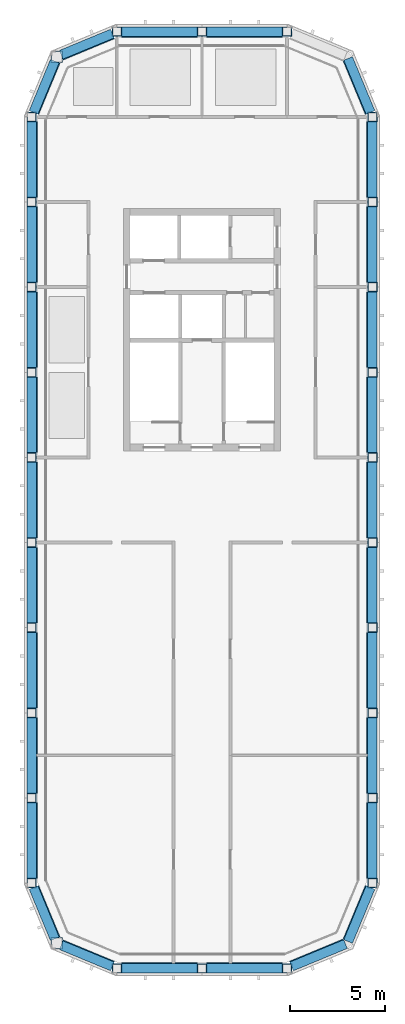
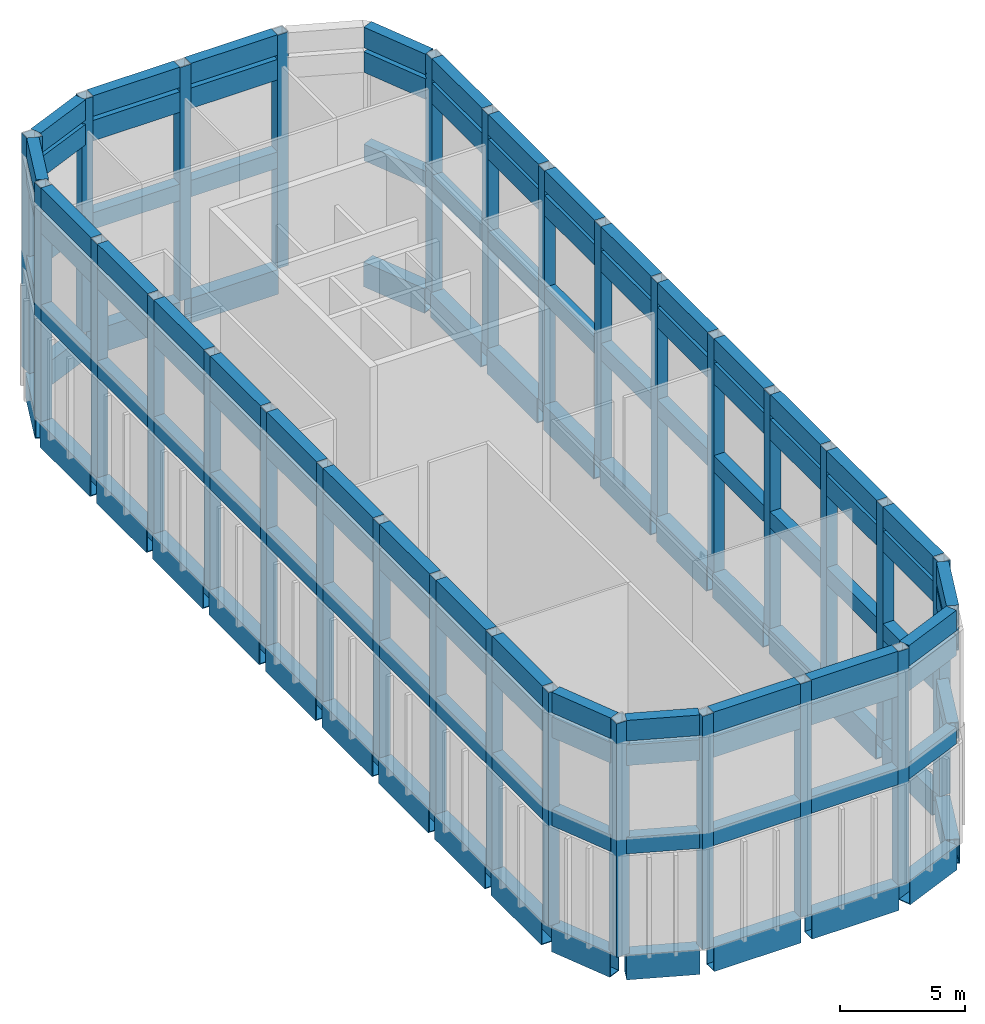
# One storey, part 1 of 7: 116 beams, 28 columns.
"""IFC4 building model written with IfcOpenShell, lengths in metres."""

from ifc_helpers import new_model, si_unit, direction, frame, origin, origin_2d, place, context, subcontext, project, spatial, hollow_rectangle, extrude, material, material_profile, profile_set, type_object, element, save


model = new_model("IFC4")

# Units and contexts
model_context = context("Model", 3, precision=1e-05, world=origin(), true_north=direction((0.0, 1.0)))
body_context = subcontext(model_context, "Body", "Model", "MODEL_VIEW")
ifc_project = project(units=[si_unit("LENGTHUNIT", "METRE"), si_unit("AREAUNIT", "SQUARE_METRE"), si_unit("VOLUMEUNIT", "CUBIC_METRE"), si_unit("PLANEANGLEUNIT", "RADIAN"), si_unit("MASSUNIT", "GRAM", prefix="KILO")], contexts=[model_context])

# Site, building, storey
site_placement = place(None, origin())
site = spatial("IfcSite", under=ifc_project, at=site_placement, CompositionType="ELEMENT")
building_placement = place(site_placement, origin())
building = spatial("IfcBuilding", under=site, at=building_placement, Name="Girih Gate Residences", CompositionType="ELEMENT")
storey_placement = place(building_placement, frame((0.0, 0.0, 247.094970703125)))
storey = spatial("IfcBuildingStorey", under=building, at=storey_placement, Name="L67", CompositionType="ELEMENT", Elevation=247.094970703125)

# Columns
ifc_material = material(Name="Steel S460", Category="steel")
ifc_material_profile_1 = material_profile(ifc_material, hollow_rectangle(XDim=0.60009765625, YDim=0.60009765625, WallThickness=0.030029296875, at=origin_2d()))
ifc_profile_set_1 = profile_set([ifc_material_profile_1], Name="Steel S460")
column_type_1 = type_object("IfcColumnType", Name="CROWN FRAME corner post BOX 600x600x30 Steel S460", PredefinedType="COLUMN", material=ifc_profile_set_1)
for number, where, z_axis, x_axis, name in (
    (1, (1.318115234375, 1.318115234375, 0.0), (0.0, 0.0, 1.0), (1.0, 0.0, 0.0), "CROWN FRAME post 4 L67"),
    (2, (1.318115234375, 48.181884765625, 0.0), (0.0, 0.0, 1.0), (1.0, 0.0, 0.0), "CROWN FRAME post 25 L67"),
):
    element("IfcColumn", number, at=place(storey_placement, frame(where, z_axis=z_axis, x_axis=x_axis)), inside=storey, type_object=column_type_1, Name=name, PredefinedType="COLUMN", context=body_context, shape_type="SweptSolid", body=[
        extrude(hollow_rectangle(XDim=0.60009765625, YDim=0.60009765625, WallThickness=0.030029296875, at=origin_2d()), origin(), (0.0, 0.0, 1.0), 11.3701171875),
    ])
ifc_material_profile_2 = material_profile(ifc_material, hollow_rectangle(XDim=0.5, YDim=0.5, WallThickness=0.02490234375, at=origin_2d()))
ifc_profile_set_2 = profile_set([ifc_material_profile_2], Name="Steel S460")
column_type_2 = type_object("IfcColumnType", Name="CROWN FRAME post BOX 500x500x25 Steel S460", PredefinedType="COLUMN", material=ifc_profile_set_2)
for number, where, z_axis, x_axis, name in (
    (3, (4.5, 0.0, 0.0), (0.0, 0.0, 1.0), (1.0, 0.0, 0.0), "CROWN FRAME post 1 L67"),
    (4, (9.0, 0.0, 0.0), (0.0, 0.0, 1.0), (1.0, 0.0, 0.0), "CROWN FRAME post 2 L67"),
    (5, (13.5, 0.0, 0.0), (0.0, 0.0, 1.0), (1.0, 0.0, 0.0), "CROWN FRAME post 3 L67"),
    (6, (0.0, 4.5, 0.0), (0.0, 0.0, 1.0), (1.0, 0.0, 0.0), "CROWN FRAME post 5 L67"),
    (7, (18.0, 4.5, 0.0), (0.0, 0.0, 1.0), (1.0, 0.0, 0.0), "CROWN FRAME post 6 L67"),
    (8, (0.0, 9.0, 0.0), (0.0, 0.0, 1.0), (1.0, 0.0, 0.0), "CROWN FRAME post 7 L67"),
    (9, (18.0, 9.0, 0.0), (0.0, 0.0, 1.0), (1.0, 0.0, 0.0), "CROWN FRAME post 8 L67"),
    (10, (0.0, 13.5, 0.0), (0.0, 0.0, 1.0), (1.0, 0.0, 0.0), "CROWN FRAME post 9 L67"),
    (11, (18.0, 13.5, 0.0), (0.0, 0.0, 1.0), (1.0, 0.0, 0.0), "CROWN FRAME post 10 L67"),
    (12, (0.0, 18.0, 0.0), (0.0, 0.0, 1.0), (1.0, 0.0, 0.0), "CROWN FRAME post 11 L67"),
    (13, (18.0, 18.0, 0.0), (0.0, 0.0, 1.0), (1.0, 0.0, 0.0), "CROWN FRAME post 12 L67"),
    (14, (0.0, 22.5, 0.0), (0.0, 0.0, 1.0), (1.0, 0.0, 0.0), "CROWN FRAME post 13 L67"),
    (15, (18.0, 22.5, 0.0), (0.0, 0.0, 1.0), (1.0, 0.0, 0.0), "CROWN FRAME post 14 L67"),
    (16, (0.0, 27.0, 0.0), (0.0, 0.0, 1.0), (1.0, 0.0, 0.0), "CROWN FRAME post 15 L67"),
    (17, (18.0, 27.0, 0.0), (0.0, 0.0, 1.0), (1.0, 0.0, 0.0), "CROWN FRAME post 16 L67"),
    (18, (0.0, 31.5, 0.0), (0.0, 0.0, 1.0), (1.0, 0.0, 0.0), "CROWN FRAME post 17 L67"),
    (19, (18.0, 31.5, 0.0), (0.0, 0.0, 1.0), (1.0, 0.0, 0.0), "CROWN FRAME post 18 L67"),
    (20, (0.0, 36.0, 0.0), (0.0, 0.0, 1.0), (1.0, 0.0, 0.0), "CROWN FRAME post 19 L67"),
    (21, (18.0, 36.0, 0.0), (0.0, 0.0, 1.0), (1.0, 0.0, 0.0), "CROWN FRAME post 20 L67"),
    (22, (0.0, 40.5, 0.0), (0.0, 0.0, 1.0), (1.0, 0.0, 0.0), "CROWN FRAME post 21 L67"),
    (23, (18.0, 40.5, 0.0), (0.0, 0.0, 1.0), (1.0, 0.0, 0.0), "CROWN FRAME post 22 L67"),
    (24, (0.0, 45.0, 0.0), (0.0, 0.0, 1.0), (1.0, 0.0, 0.0), "CROWN FRAME post 23 L67"),
    (25, (18.0, 45.0, 0.0), (0.0, 0.0, 1.0), (1.0, 0.0, 0.0), "CROWN FRAME post 24 L67"),
    (26, (4.5, 49.5, 0.0), (0.0, 0.0, 1.0), (1.0, 0.0, 0.0), "CROWN FRAME post 26 L67"),
    (27, (9.0, 49.5, 0.0), (0.0, 0.0, 1.0), (1.0, 0.0, 0.0), "CROWN FRAME post 27 L67"),
    (28, (13.5, 49.5, 0.0), (0.0, 0.0, 1.0), (1.0, 0.0, 0.0), "CROWN FRAME post 28 L67"),
):
    element("IfcColumn", number, at=place(storey_placement, frame(where, z_axis=z_axis, x_axis=x_axis)), inside=storey, type_object=column_type_2, Name=name, PredefinedType="COLUMN", context=body_context, shape_type="SweptSolid", body=[
        extrude(hollow_rectangle(XDim=0.5, YDim=0.5, WallThickness=0.02490234375, at=origin_2d()), origin(), (0.0, 0.0, 1.0), 11.3701171875),
    ])

# Beams
ifc_material_profile_3 = material_profile(ifc_material, hollow_rectangle(XDim=0.60009765625, YDim=1.199951171875, WallThickness=0.0400390625, at=origin_2d()))
ifc_profile_set_3 = profile_set([ifc_material_profile_3], Name="Steel S460")
beam_type_1 = type_object("IfcBeamType", Name="CROWN FRAME ring beam BOX 1200x600x40 Steel S460", PredefinedType="BEAM", material=ifc_profile_set_3)
beam_1_placement = place(storey_placement, frame((17.904296875, 45.23095703125, -0.599853515625), z_axis=(-0.382688933871, 0.923877253694, 0.0), x_axis=(-0.923877253694, -0.382688933871, 0.0)))
element("IfcBeam", 29, at=beam_1_placement, inside=storey, type_object=beam_type_1, Name="CROWN FRAME ring beam 247.1 1", PredefinedType="BEAM", context=body_context, shape_type="SweptSolid", body=[
    extrude(hollow_rectangle(XDim=0.60009765625, YDim=1.199951171875, WallThickness=0.0400390625, at=origin_2d()), origin(), (0.0, 0.0, 1.0), 3.06982421875),
])
for number, where, z_axis, x_axis, name in (
    (30, (13.25, 49.5, -0.599853515625), (-1.0, 0.0, 0.0), (0.0, -1.0, 0.0), "CROWN FRAME ring beam 247.1 3"),
    (31, (8.75, 49.5, -0.599853515625), (-1.0, 0.0, 0.0), (0.0, -1.0, 0.0), "CROWN FRAME ring beam 247.1 4"),
):
    element("IfcBeam", number, at=place(storey_placement, frame(where, z_axis=z_axis, x_axis=x_axis)), inside=storey, type_object=beam_type_1, Name=name, PredefinedType="BEAM", context=body_context, shape_type="SweptSolid", body=[
        extrude(hollow_rectangle(XDim=0.60009765625, YDim=1.199951171875, WallThickness=0.0400390625, at=origin_2d()), origin(), (0.0, 0.0, 1.0), 4.0),
    ])
for number, where, z_axis, x_axis, name in (
    (32, (4.26904296875, 49.404296875, -0.599853515625), (-0.923872299408, -0.382700894154, 0.0), (0.382700894154, -0.923872299408, 0.0), "CROWN FRAME ring beam 247.1 5"),
    (33, (1.222412109375, 47.950927734375, -0.599853515625), (-0.382700894154, -0.923872299408, 0.0), (0.923872299408, -0.382700894154, 0.0), "CROWN FRAME ring beam 247.1 6"),
):
    element("IfcBeam", number, at=place(storey_placement, frame(where, z_axis=z_axis, x_axis=x_axis)), inside=storey, type_object=beam_type_1, Name=name, PredefinedType="BEAM", context=body_context, shape_type="SweptSolid", body=[
        extrude(hollow_rectangle(XDim=0.60009765625, YDim=1.199951171875, WallThickness=0.0400390625, at=origin_2d()), origin(), (0.0, 0.0, 1.0), 2.944091796875),
    ])
for number, where, z_axis, x_axis, name in (
    (34, (0.0, 44.75, -0.599853515625), (0.0, -1.0, 0.0), (1.0, 0.0, 0.0), "CROWN FRAME ring beam 247.1 7"),
    (35, (0.0, 40.25, -0.599853515625), (0.0, -1.0, 0.0), (1.0, 0.0, 0.0), "CROWN FRAME ring beam 247.1 8"),
    (36, (0.0, 35.75, -0.599853515625), (0.0, -1.0, 0.0), (1.0, 0.0, 0.0), "CROWN FRAME ring beam 247.1 9"),
    (37, (0.0, 31.25, -0.599853515625), (0.0, -1.0, 0.0), (1.0, 0.0, 0.0), "CROWN FRAME ring beam 247.1 10"),
    (38, (0.0, 26.75, -0.599853515625), (0.0, -1.0, 0.0), (1.0, 0.0, 0.0), "CROWN FRAME ring beam 247.1 11"),
    (39, (0.0, 22.25, -0.599853515625), (0.0, -1.0, 0.0), (1.0, 0.0, 0.0), "CROWN FRAME ring beam 247.1 12"),
    (40, (0.0, 17.75, -0.599853515625), (0.0, -1.0, 0.0), (1.0, 0.0, 0.0), "CROWN FRAME ring beam 247.1 13"),
    (41, (0.0, 13.25, -0.599853515625), (0.0, -1.0, 0.0), (1.0, 0.0, 0.0), "CROWN FRAME ring beam 247.1 14"),
    (42, (0.0, 8.75, -0.599853515625), (0.0, -1.0, 0.0), (1.0, 0.0, 0.0), "CROWN FRAME ring beam 247.1 15"),
):
    element("IfcBeam", number, at=place(storey_placement, frame(where, z_axis=z_axis, x_axis=x_axis)), inside=storey, type_object=beam_type_1, Name=name, PredefinedType="BEAM", context=body_context, shape_type="SweptSolid", body=[
        extrude(hollow_rectangle(XDim=0.60009765625, YDim=1.199951171875, WallThickness=0.0400390625, at=origin_2d()), origin(), (0.0, 0.0, 1.0), 4.0),
    ])
for number, where, z_axis, x_axis, name in (
    (43, (0.095703125, 4.26904296875, -0.599853515625), (0.382700894154, -0.923872299408, 0.0), (0.923872299408, 0.382700894154, 0.0), "CROWN FRAME ring beam 247.1 16"),
    (44, (1.549072265625, 1.222412109375, -0.599853515625), (0.923872299408, -0.382700894154, 0.0), (0.382700894154, 0.923872299408, 0.0), "CROWN FRAME ring beam 247.1 17"),
):
    element("IfcBeam", number, at=place(storey_placement, frame(where, z_axis=z_axis, x_axis=x_axis)), inside=storey, type_object=beam_type_1, Name=name, PredefinedType="BEAM", context=body_context, shape_type="SweptSolid", body=[
        extrude(hollow_rectangle(XDim=0.60009765625, YDim=1.199951171875, WallThickness=0.0400390625, at=origin_2d()), origin(), (0.0, 0.0, 1.0), 2.944091796875),
    ])
for number, where, z_axis, x_axis, name in (
    (45, (4.75, 0.0, -0.599853515625), (1.0, 0.0, 0.0), (0.0, 1.0, 0.0), "CROWN FRAME ring beam 247.1 18"),
    (46, (9.25, 0.0, -0.599853515625), (1.0, 0.0, 0.0), (0.0, 1.0, 0.0), "CROWN FRAME ring beam 247.1 19"),
):
    element("IfcBeam", number, at=place(storey_placement, frame(where, z_axis=z_axis, x_axis=x_axis)), inside=storey, type_object=beam_type_1, Name=name, PredefinedType="BEAM", context=body_context, shape_type="SweptSolid", body=[
        extrude(hollow_rectangle(XDim=0.60009765625, YDim=1.199951171875, WallThickness=0.0400390625, at=origin_2d()), origin(), (0.0, 0.0, 1.0), 4.0),
    ])
for number, where, z_axis, x_axis, name in (
    (47, (13.73095703125, 0.095703125, -0.599853515625), (0.923877253694, 0.382688933871, 0.0), (-0.382688933871, 0.923877253694, 0.0), "CROWN FRAME ring beam 247.1 20"),
    (48, (16.7294921875, 1.432861328125, -0.599853515625), (0.382688933871, 0.923877253694, 0.0), (-0.923877253694, 0.382688933871, 0.0), "CROWN FRAME ring beam 247.1 21"),
):
    element("IfcBeam", number, at=place(storey_placement, frame(where, z_axis=z_axis, x_axis=x_axis)), inside=storey, type_object=beam_type_1, Name=name, PredefinedType="BEAM", context=body_context, shape_type="SweptSolid", body=[
        extrude(hollow_rectangle(XDim=0.60009765625, YDim=1.199951171875, WallThickness=0.0400390625, at=origin_2d()), origin(), (0.0, 0.0, 1.0), 3.06982421875),
    ])
for number, where, z_axis, x_axis, name in (
    (49, (18.0, 4.75, -0.599853515625), (0.0, 1.0, 0.0), (-1.0, 0.0, 0.0), "CROWN FRAME ring beam 247.1 22"),
    (50, (18.0, 9.25, -0.599853515625), (0.0, 1.0, 0.0), (-1.0, 0.0, 0.0), "CROWN FRAME ring beam 247.1 23"),
    (51, (18.0, 13.75, -0.599853515625), (0.0, 1.0, 0.0), (-1.0, 0.0, 0.0), "CROWN FRAME ring beam 247.1 24"),
    (52, (18.0, 18.25, -0.599853515625), (0.0, 1.0, 0.0), (-1.0, 0.0, 0.0), "CROWN FRAME ring beam 247.1 25"),
    (53, (18.0, 22.75, -0.599853515625), (0.0, 1.0, 0.0), (-1.0, 0.0, 0.0), "CROWN FRAME ring beam 247.1 26"),
    (54, (18.0, 27.25, -0.599853515625), (0.0, 1.0, 0.0), (-1.0, 0.0, 0.0), "CROWN FRAME ring beam 247.1 27"),
    (55, (18.0, 31.75, -0.599853515625), (0.0, 1.0, 0.0), (-1.0, 0.0, 0.0), "CROWN FRAME ring beam 247.1 28"),
    (56, (18.0, 36.25, -0.599853515625), (0.0, 1.0, 0.0), (-1.0, 0.0, 0.0), "CROWN FRAME ring beam 247.1 29"),
    (57, (18.0, 40.75, -0.599853515625), (0.0, 1.0, 0.0), (-1.0, 0.0, 0.0), "CROWN FRAME ring beam 247.1 30"),
):
    element("IfcBeam", number, at=place(storey_placement, frame(where, z_axis=z_axis, x_axis=x_axis)), inside=storey, type_object=beam_type_1, Name=name, PredefinedType="BEAM", context=body_context, shape_type="SweptSolid", body=[
        extrude(hollow_rectangle(XDim=0.60009765625, YDim=1.199951171875, WallThickness=0.0400390625, at=origin_2d()), origin(), (0.0, 0.0, 1.0), 4.0),
    ])
ifc_material_profile_4 = material_profile(ifc_material, hollow_rectangle(XDim=0.5, YDim=1.0, WallThickness=0.030029296875, at=origin_2d()))
ifc_profile_set_4 = profile_set([ifc_material_profile_4], Name="Steel S460")
beam_type_2 = type_object("IfcBeamType", Name="CROWN FRAME roof ring beam BOX 1000x500x30 Steel S460", PredefinedType="BEAM", material=ifc_profile_set_4)
beam_2_placement = place(storey_placement, frame((17.904296875, 45.23095703125, 9.699951171875), z_axis=(-0.382640157244, 0.923897456466, 0.0), x_axis=(-0.923897456466, -0.382640157244, 0.0)))
element("IfcBeam", 58, at=beam_2_placement, inside=storey, type_object=beam_type_2, Name="CROWN FRAME ring beam 257.3 1", PredefinedType="BEAM", context=body_context, shape_type="SweptSolid", body=[
    extrude(hollow_rectangle(XDim=0.5, YDim=1.0, WallThickness=0.030029296875, at=origin_2d()), origin(), (0.0, 0.0, 1.0), 3.090576171875),
])
for number, where, z_axis, x_axis, name in (
    (59, (13.25, 49.5, 9.699951171875), (-1.0, 0.0, 0.0), (0.0, -1.0, 0.0), "CROWN FRAME ring beam 257.3 3"),
    (60, (8.75, 49.5, 9.699951171875), (-1.0, 0.0, 0.0), (0.0, -1.0, 0.0), "CROWN FRAME ring beam 257.3 4"),
):
    element("IfcBeam", number, at=place(storey_placement, frame(where, z_axis=z_axis, x_axis=x_axis)), inside=storey, type_object=beam_type_2, Name=name, PredefinedType="BEAM", context=body_context, shape_type="SweptSolid", body=[
        extrude(hollow_rectangle(XDim=0.5, YDim=1.0, WallThickness=0.030029296875, at=origin_2d()), origin(), (0.0, 0.0, 1.0), 4.0),
    ])
for number, where, z_axis, x_axis, name in (
    (61, (4.26904296875, 49.404296875, 9.699951171875), (-0.923872299408, -0.382700894154, 0.0), (0.382700894154, -0.923872299408, 0.0), "CROWN FRAME ring beam 257.3 5"),
    (62, (1.222412109375, 47.950927734375, 9.699951171875), (-0.382700894154, -0.923872299408, 0.0), (0.923872299408, -0.382700894154, 0.0), "CROWN FRAME ring beam 257.3 6"),
):
    element("IfcBeam", number, at=place(storey_placement, frame(where, z_axis=z_axis, x_axis=x_axis)), inside=storey, type_object=beam_type_2, Name=name, PredefinedType="BEAM", context=body_context, shape_type="SweptSolid", body=[
        extrude(hollow_rectangle(XDim=0.5, YDim=1.0, WallThickness=0.030029296875, at=origin_2d()), origin(), (0.0, 0.0, 1.0), 2.944091796875),
    ])
for number, where, z_axis, x_axis, name in (
    (63, (0.0, 44.75, 9.699951171875), (0.0, -1.0, 0.0), (1.0, 0.0, 0.0), "CROWN FRAME ring beam 257.3 7"),
    (64, (0.0, 40.25, 9.699951171875), (0.0, -1.0, 0.0), (1.0, 0.0, 0.0), "CROWN FRAME ring beam 257.3 8"),
    (65, (0.0, 35.75, 9.699951171875), (0.0, -1.0, 0.0), (1.0, 0.0, 0.0), "CROWN FRAME ring beam 257.3 9"),
    (66, (0.0, 31.25, 9.699951171875), (0.0, -1.0, 0.0), (1.0, 0.0, 0.0), "CROWN FRAME ring beam 257.3 10"),
    (67, (0.0, 26.75, 9.699951171875), (0.0, -1.0, 0.0), (1.0, 0.0, 0.0), "CROWN FRAME ring beam 257.3 11"),
    (68, (0.0, 22.25, 9.699951171875), (0.0, -1.0, 0.0), (1.0, 0.0, 0.0), "CROWN FRAME ring beam 257.3 12"),
    (69, (0.0, 17.75, 9.699951171875), (0.0, -1.0, 0.0), (1.0, 0.0, 0.0), "CROWN FRAME ring beam 257.3 13"),
    (70, (0.0, 13.25, 9.699951171875), (0.0, -1.0, 0.0), (1.0, 0.0, 0.0), "CROWN FRAME ring beam 257.3 14"),
    (71, (0.0, 8.75, 9.699951171875), (0.0, -1.0, 0.0), (1.0, 0.0, 0.0), "CROWN FRAME ring beam 257.3 15"),
):
    element("IfcBeam", number, at=place(storey_placement, frame(where, z_axis=z_axis, x_axis=x_axis)), inside=storey, type_object=beam_type_2, Name=name, PredefinedType="BEAM", context=body_context, shape_type="SweptSolid", body=[
        extrude(hollow_rectangle(XDim=0.5, YDim=1.0, WallThickness=0.030029296875, at=origin_2d()), origin(), (0.0, 0.0, 1.0), 4.0),
    ])
for number, where, z_axis, x_axis, name in (
    (72, (0.095703125, 4.26904296875, 9.699951171875), (0.382700894154, -0.923872299408, 0.0), (0.923872299408, 0.382700894154, 0.0), "CROWN FRAME ring beam 257.3 16"),
    (73, (1.549072265625, 1.222412109375, 9.699951171875), (0.923872299408, -0.382700894154, 0.0), (0.382700894154, 0.923872299408, 0.0), "CROWN FRAME ring beam 257.3 17"),
):
    element("IfcBeam", number, at=place(storey_placement, frame(where, z_axis=z_axis, x_axis=x_axis)), inside=storey, type_object=beam_type_2, Name=name, PredefinedType="BEAM", context=body_context, shape_type="SweptSolid", body=[
        extrude(hollow_rectangle(XDim=0.5, YDim=1.0, WallThickness=0.030029296875, at=origin_2d()), origin(), (0.0, 0.0, 1.0), 2.944091796875),
    ])
for number, where, z_axis, x_axis, name in (
    (74, (4.75, 0.0, 9.699951171875), (1.0, 0.0, 0.0), (0.0, 1.0, 0.0), "CROWN FRAME ring beam 257.3 18"),
    (75, (9.25, 0.0, 9.699951171875), (1.0, 0.0, 0.0), (0.0, 1.0, 0.0), "CROWN FRAME ring beam 257.3 19"),
):
    element("IfcBeam", number, at=place(storey_placement, frame(where, z_axis=z_axis, x_axis=x_axis)), inside=storey, type_object=beam_type_2, Name=name, PredefinedType="BEAM", context=body_context, shape_type="SweptSolid", body=[
        extrude(hollow_rectangle(XDim=0.5, YDim=1.0, WallThickness=0.030029296875, at=origin_2d()), origin(), (0.0, 0.0, 1.0), 4.0),
    ])
for number, where, z_axis, x_axis, name in (
    (76, (13.73095703125, 0.095703125, 9.699951171875), (0.923897456466, 0.382640157244, 0.0), (-0.382640157244, 0.923897456466, 0.0), "CROWN FRAME ring beam 257.3 20"),
    (77, (16.7216796875, 1.41357421875, 9.699951171875), (0.382640157244, 0.923897456466, 0.0), (-0.923897456466, 0.382640157244, 0.0), "CROWN FRAME ring beam 257.3 21"),
):
    element("IfcBeam", number, at=place(storey_placement, frame(where, z_axis=z_axis, x_axis=x_axis)), inside=storey, type_object=beam_type_2, Name=name, PredefinedType="BEAM", context=body_context, shape_type="SweptSolid", body=[
        extrude(hollow_rectangle(XDim=0.5, YDim=1.0, WallThickness=0.030029296875, at=origin_2d()), origin(), (0.0, 0.0, 1.0), 3.090576171875),
    ])
for number, where, z_axis, x_axis, name in (
    (78, (18.0, 4.75, 9.699951171875), (0.0, 1.0, 0.0), (-1.0, 0.0, 0.0), "CROWN FRAME ring beam 257.3 22"),
    (79, (18.0, 9.25, 9.699951171875), (0.0, 1.0, 0.0), (-1.0, 0.0, 0.0), "CROWN FRAME ring beam 257.3 23"),
    (80, (18.0, 13.75, 9.699951171875), (0.0, 1.0, 0.0), (-1.0, 0.0, 0.0), "CROWN FRAME ring beam 257.3 24"),
    (81, (18.0, 18.25, 9.699951171875), (0.0, 1.0, 0.0), (-1.0, 0.0, 0.0), "CROWN FRAME ring beam 257.3 25"),
    (82, (18.0, 22.75, 9.699951171875), (0.0, 1.0, 0.0), (-1.0, 0.0, 0.0), "CROWN FRAME ring beam 257.3 26"),
    (83, (18.0, 27.25, 9.699951171875), (0.0, 1.0, 0.0), (-1.0, 0.0, 0.0), "CROWN FRAME ring beam 257.3 27"),
    (84, (18.0, 31.75, 9.699951171875), (0.0, 1.0, 0.0), (-1.0, 0.0, 0.0), "CROWN FRAME ring beam 257.3 28"),
    (85, (18.0, 36.25, 9.699951171875), (0.0, 1.0, 0.0), (-1.0, 0.0, 0.0), "CROWN FRAME ring beam 257.3 29"),
    (86, (18.0, 40.75, 9.699951171875), (0.0, 1.0, 0.0), (-1.0, 0.0, 0.0), "CROWN FRAME ring beam 257.3 30"),
):
    element("IfcBeam", number, at=place(storey_placement, frame(where, z_axis=z_axis, x_axis=x_axis)), inside=storey, type_object=beam_type_2, Name=name, PredefinedType="BEAM", context=body_context, shape_type="SweptSolid", body=[
        extrude(hollow_rectangle(XDim=0.5, YDim=1.0, WallThickness=0.030029296875, at=origin_2d()), origin(), (0.0, 0.0, 1.0), 4.0),
    ])
beam_3_placement = place(storey_placement, frame((17.904296875, 45.23095703125, 10.900146484375), z_axis=(-0.382640157244, 0.923897456466, 0.0), x_axis=(-0.923897456466, -0.382640157244, 0.0)))
element("IfcBeam", 87, at=beam_3_placement, inside=storey, type_object=beam_type_2, Name="CROWN FRAME ring beam 258.5 1", PredefinedType="BEAM", context=body_context, shape_type="SweptSolid", body=[
    extrude(hollow_rectangle(XDim=0.5, YDim=1.0, WallThickness=0.030029296875, at=origin_2d()), origin(), (0.0, 0.0, 1.0), 3.090576171875),
])
for number, where, z_axis, x_axis, name in (
    (88, (13.25, 49.5, 10.900146484375), (-1.0, 0.0, 0.0), (0.0, -1.0, 0.0), "CROWN FRAME ring beam 258.5 3"),
    (89, (8.75, 49.5, 10.900146484375), (-1.0, 0.0, 0.0), (0.0, -1.0, 0.0), "CROWN FRAME ring beam 258.5 4"),
):
    element("IfcBeam", number, at=place(storey_placement, frame(where, z_axis=z_axis, x_axis=x_axis)), inside=storey, type_object=beam_type_2, Name=name, PredefinedType="BEAM", context=body_context, shape_type="SweptSolid", body=[
        extrude(hollow_rectangle(XDim=0.5, YDim=1.0, WallThickness=0.030029296875, at=origin_2d()), origin(), (0.0, 0.0, 1.0), 4.0),
    ])
for number, where, z_axis, x_axis, name in (
    (90, (4.26904296875, 49.404296875, 10.900146484375), (-0.923872299408, -0.382700894154, 0.0), (0.382700894154, -0.923872299408, 0.0), "CROWN FRAME ring beam 258.5 5"),
    (91, (1.222412109375, 47.950927734375, 10.900146484375), (-0.382700894154, -0.923872299408, 0.0), (0.923872299408, -0.382700894154, 0.0), "CROWN FRAME ring beam 258.5 6"),
):
    element("IfcBeam", number, at=place(storey_placement, frame(where, z_axis=z_axis, x_axis=x_axis)), inside=storey, type_object=beam_type_2, Name=name, PredefinedType="BEAM", context=body_context, shape_type="SweptSolid", body=[
        extrude(hollow_rectangle(XDim=0.5, YDim=1.0, WallThickness=0.030029296875, at=origin_2d()), origin(), (0.0, 0.0, 1.0), 2.944091796875),
    ])
for number, where, z_axis, x_axis, name in (
    (92, (0.0, 44.75, 10.900146484375), (0.0, -1.0, 0.0), (1.0, 0.0, 0.0), "CROWN FRAME ring beam 258.5 7"),
    (93, (0.0, 40.25, 10.900146484375), (0.0, -1.0, 0.0), (1.0, 0.0, 0.0), "CROWN FRAME ring beam 258.5 8"),
    (94, (0.0, 35.75, 10.900146484375), (0.0, -1.0, 0.0), (1.0, 0.0, 0.0), "CROWN FRAME ring beam 258.5 9"),
    (95, (0.0, 31.25, 10.900146484375), (0.0, -1.0, 0.0), (1.0, 0.0, 0.0), "CROWN FRAME ring beam 258.5 10"),
    (96, (0.0, 26.75, 10.900146484375), (0.0, -1.0, 0.0), (1.0, 0.0, 0.0), "CROWN FRAME ring beam 258.5 11"),
    (97, (0.0, 22.25, 10.900146484375), (0.0, -1.0, 0.0), (1.0, 0.0, 0.0), "CROWN FRAME ring beam 258.5 12"),
    (98, (0.0, 17.75, 10.900146484375), (0.0, -1.0, 0.0), (1.0, 0.0, 0.0), "CROWN FRAME ring beam 258.5 13"),
    (99, (0.0, 13.25, 10.900146484375), (0.0, -1.0, 0.0), (1.0, 0.0, 0.0), "CROWN FRAME ring beam 258.5 14"),
    (100, (0.0, 8.75, 10.900146484375), (0.0, -1.0, 0.0), (1.0, 0.0, 0.0), "CROWN FRAME ring beam 258.5 15"),
):
    element("IfcBeam", number, at=place(storey_placement, frame(where, z_axis=z_axis, x_axis=x_axis)), inside=storey, type_object=beam_type_2, Name=name, PredefinedType="BEAM", context=body_context, shape_type="SweptSolid", body=[
        extrude(hollow_rectangle(XDim=0.5, YDim=1.0, WallThickness=0.030029296875, at=origin_2d()), origin(), (0.0, 0.0, 1.0), 4.0),
    ])
for number, where, z_axis, x_axis, name in (
    (101, (0.095703125, 4.26904296875, 10.900146484375), (0.382700894154, -0.923872299408, 0.0), (0.923872299408, 0.382700894154, 0.0), "CROWN FRAME ring beam 258.5 16"),
    (102, (1.549072265625, 1.222412109375, 10.900146484375), (0.923872299408, -0.382700894154, 0.0), (0.382700894154, 0.923872299408, 0.0), "CROWN FRAME ring beam 258.5 17"),
):
    element("IfcBeam", number, at=place(storey_placement, frame(where, z_axis=z_axis, x_axis=x_axis)), inside=storey, type_object=beam_type_2, Name=name, PredefinedType="BEAM", context=body_context, shape_type="SweptSolid", body=[
        extrude(hollow_rectangle(XDim=0.5, YDim=1.0, WallThickness=0.030029296875, at=origin_2d()), origin(), (0.0, 0.0, 1.0), 2.944091796875),
    ])
for number, where, z_axis, x_axis, name in (
    (103, (4.75, 0.0, 10.900146484375), (1.0, 0.0, 0.0), (0.0, 1.0, 0.0), "CROWN FRAME ring beam 258.5 18"),
    (104, (9.25, 0.0, 10.900146484375), (1.0, 0.0, 0.0), (0.0, 1.0, 0.0), "CROWN FRAME ring beam 258.5 19"),
):
    element("IfcBeam", number, at=place(storey_placement, frame(where, z_axis=z_axis, x_axis=x_axis)), inside=storey, type_object=beam_type_2, Name=name, PredefinedType="BEAM", context=body_context, shape_type="SweptSolid", body=[
        extrude(hollow_rectangle(XDim=0.5, YDim=1.0, WallThickness=0.030029296875, at=origin_2d()), origin(), (0.0, 0.0, 1.0), 4.0),
    ])
for number, where, z_axis, x_axis, name in (
    (105, (13.73095703125, 0.095703125, 10.900146484375), (0.923897456466, 0.382640157244, 0.0), (-0.382640157244, 0.923897456466, 0.0), "CROWN FRAME ring beam 258.5 20"),
    (106, (16.7216796875, 1.41357421875, 10.900146484375), (0.382640157244, 0.923897456466, 0.0), (-0.923897456466, 0.382640157244, 0.0), "CROWN FRAME ring beam 258.5 21"),
):
    element("IfcBeam", number, at=place(storey_placement, frame(where, z_axis=z_axis, x_axis=x_axis)), inside=storey, type_object=beam_type_2, Name=name, PredefinedType="BEAM", context=body_context, shape_type="SweptSolid", body=[
        extrude(hollow_rectangle(XDim=0.5, YDim=1.0, WallThickness=0.030029296875, at=origin_2d()), origin(), (0.0, 0.0, 1.0), 3.090576171875),
    ])
for number, where, z_axis, x_axis, name in (
    (107, (18.0, 4.75, 10.900146484375), (0.0, 1.0, 0.0), (-1.0, 0.0, 0.0), "CROWN FRAME ring beam 258.5 22"),
    (108, (18.0, 9.25, 10.900146484375), (0.0, 1.0, 0.0), (-1.0, 0.0, 0.0), "CROWN FRAME ring beam 258.5 23"),
    (109, (18.0, 13.75, 10.900146484375), (0.0, 1.0, 0.0), (-1.0, 0.0, 0.0), "CROWN FRAME ring beam 258.5 24"),
    (110, (18.0, 18.25, 10.900146484375), (0.0, 1.0, 0.0), (-1.0, 0.0, 0.0), "CROWN FRAME ring beam 258.5 25"),
    (111, (18.0, 22.75, 10.900146484375), (0.0, 1.0, 0.0), (-1.0, 0.0, 0.0), "CROWN FRAME ring beam 258.5 26"),
    (112, (18.0, 27.25, 10.900146484375), (0.0, 1.0, 0.0), (-1.0, 0.0, 0.0), "CROWN FRAME ring beam 258.5 27"),
    (113, (18.0, 31.75, 10.900146484375), (0.0, 1.0, 0.0), (-1.0, 0.0, 0.0), "CROWN FRAME ring beam 258.5 28"),
    (114, (18.0, 36.25, 10.900146484375), (0.0, 1.0, 0.0), (-1.0, 0.0, 0.0), "CROWN FRAME ring beam 258.5 29"),
    (115, (18.0, 40.75, 10.900146484375), (0.0, 1.0, 0.0), (-1.0, 0.0, 0.0), "CROWN FRAME ring beam 258.5 30"),
):
    element("IfcBeam", number, at=place(storey_placement, frame(where, z_axis=z_axis, x_axis=x_axis)), inside=storey, type_object=beam_type_2, Name=name, PredefinedType="BEAM", context=body_context, shape_type="SweptSolid", body=[
        extrude(hollow_rectangle(XDim=0.5, YDim=1.0, WallThickness=0.030029296875, at=origin_2d()), origin(), (0.0, 0.0, 1.0), 4.0),
    ])
ifc_material_profile_5 = material_profile(ifc_material, hollow_rectangle(XDim=0.5, YDim=0.800048828125, WallThickness=0.030029296875, at=origin_2d()))
ifc_profile_set_5 = profile_set([ifc_material_profile_5], Name="Steel S460")
beam_type_3 = type_object("IfcBeamType", Name="CROWN FRAME stiffening ring BOX 800x500x30 Steel S460", PredefinedType="BEAM", material=ifc_profile_set_5)
beam_4_placement = place(storey_placement, frame((17.904296875, 45.23095703125, 5.300048828125), z_axis=(-0.382640157244, 0.923897456466, 0.0), x_axis=(-0.923897456466, -0.382640157244, 0.0)))
element("IfcBeam", 116, at=beam_4_placement, inside=storey, type_object=beam_type_3, Name="CROWN FRAME ring beam 252.8 1", PredefinedType="BEAM", context=body_context, shape_type="SweptSolid", body=[
    extrude(hollow_rectangle(XDim=0.5, YDim=0.800048828125, WallThickness=0.030029296875, at=origin_2d()), origin(), (0.0, 0.0, 1.0), 3.090576171875),
])
for number, where, z_axis, x_axis, name in (
    (117, (13.25, 49.5, 5.300048828125), (-1.0, 0.0, 0.0), (0.0, -1.0, 0.0), "CROWN FRAME ring beam 252.8 3"),
    (118, (8.75, 49.5, 5.300048828125), (-1.0, 0.0, 0.0), (0.0, -1.0, 0.0), "CROWN FRAME ring beam 252.8 4"),
):
    element("IfcBeam", number, at=place(storey_placement, frame(where, z_axis=z_axis, x_axis=x_axis)), inside=storey, type_object=beam_type_3, Name=name, PredefinedType="BEAM", context=body_context, shape_type="SweptSolid", body=[
        extrude(hollow_rectangle(XDim=0.5, YDim=0.800048828125, WallThickness=0.030029296875, at=origin_2d()), origin(), (0.0, 0.0, 1.0), 4.0),
    ])
for number, where, z_axis, x_axis, name in (
    (119, (4.26904296875, 49.404296875, 5.300048828125), (-0.923872299408, -0.382700894154, 0.0), (0.382700894154, -0.923872299408, 0.0), "CROWN FRAME ring beam 252.8 5"),
    (120, (1.222412109375, 47.950927734375, 5.300048828125), (-0.382700894154, -0.923872299408, 0.0), (0.923872299408, -0.382700894154, 0.0), "CROWN FRAME ring beam 252.8 6"),
):
    element("IfcBeam", number, at=place(storey_placement, frame(where, z_axis=z_axis, x_axis=x_axis)), inside=storey, type_object=beam_type_3, Name=name, PredefinedType="BEAM", context=body_context, shape_type="SweptSolid", body=[
        extrude(hollow_rectangle(XDim=0.5, YDim=0.800048828125, WallThickness=0.030029296875, at=origin_2d()), origin(), (0.0, 0.0, 1.0), 2.944091796875),
    ])
for number, where, z_axis, x_axis, name in (
    (121, (0.0, 44.75, 5.300048828125), (0.0, -1.0, 0.0), (1.0, 0.0, 0.0), "CROWN FRAME ring beam 252.8 7"),
    (122, (0.0, 40.25, 5.300048828125), (0.0, -1.0, 0.0), (1.0, 0.0, 0.0), "CROWN FRAME ring beam 252.8 8"),
    (123, (0.0, 35.75, 5.300048828125), (0.0, -1.0, 0.0), (1.0, 0.0, 0.0), "CROWN FRAME ring beam 252.8 9"),
    (124, (0.0, 31.25, 5.300048828125), (0.0, -1.0, 0.0), (1.0, 0.0, 0.0), "CROWN FRAME ring beam 252.8 10"),
    (125, (0.0, 26.75, 5.300048828125), (0.0, -1.0, 0.0), (1.0, 0.0, 0.0), "CROWN FRAME ring beam 252.8 11"),
    (126, (0.0, 22.25, 5.300048828125), (0.0, -1.0, 0.0), (1.0, 0.0, 0.0), "CROWN FRAME ring beam 252.8 12"),
    (127, (0.0, 17.75, 5.300048828125), (0.0, -1.0, 0.0), (1.0, 0.0, 0.0), "CROWN FRAME ring beam 252.8 13"),
    (128, (0.0, 13.25, 5.300048828125), (0.0, -1.0, 0.0), (1.0, 0.0, 0.0), "CROWN FRAME ring beam 252.8 14"),
    (129, (0.0, 8.75, 5.300048828125), (0.0, -1.0, 0.0), (1.0, 0.0, 0.0), "CROWN FRAME ring beam 252.8 15"),
):
    element("IfcBeam", number, at=place(storey_placement, frame(where, z_axis=z_axis, x_axis=x_axis)), inside=storey, type_object=beam_type_3, Name=name, PredefinedType="BEAM", context=body_context, shape_type="SweptSolid", body=[
        extrude(hollow_rectangle(XDim=0.5, YDim=0.800048828125, WallThickness=0.030029296875, at=origin_2d()), origin(), (0.0, 0.0, 1.0), 4.0),
    ])
for number, where, z_axis, x_axis, name in (
    (130, (0.095703125, 4.26904296875, 5.300048828125), (0.382700894154, -0.923872299408, 0.0), (0.923872299408, 0.382700894154, 0.0), "CROWN FRAME ring beam 252.8 16"),
    (131, (1.549072265625, 1.222412109375, 5.300048828125), (0.923872299408, -0.382700894154, 0.0), (0.382700894154, 0.923872299408, 0.0), "CROWN FRAME ring beam 252.8 17"),
):
    element("IfcBeam", number, at=place(storey_placement, frame(where, z_axis=z_axis, x_axis=x_axis)), inside=storey, type_object=beam_type_3, Name=name, PredefinedType="BEAM", context=body_context, shape_type="SweptSolid", body=[
        extrude(hollow_rectangle(XDim=0.5, YDim=0.800048828125, WallThickness=0.030029296875, at=origin_2d()), origin(), (0.0, 0.0, 1.0), 2.944091796875),
    ])
for number, where, z_axis, x_axis, name in (
    (132, (4.75, 0.0, 5.300048828125), (1.0, 0.0, 0.0), (0.0, 1.0, 0.0), "CROWN FRAME ring beam 252.8 18"),
    (133, (9.25, 0.0, 5.300048828125), (1.0, 0.0, 0.0), (0.0, 1.0, 0.0), "CROWN FRAME ring beam 252.8 19"),
):
    element("IfcBeam", number, at=place(storey_placement, frame(where, z_axis=z_axis, x_axis=x_axis)), inside=storey, type_object=beam_type_3, Name=name, PredefinedType="BEAM", context=body_context, shape_type="SweptSolid", body=[
        extrude(hollow_rectangle(XDim=0.5, YDim=0.800048828125, WallThickness=0.030029296875, at=origin_2d()), origin(), (0.0, 0.0, 1.0), 4.0),
    ])
for number, where, z_axis, x_axis, name in (
    (134, (13.73095703125, 0.095703125, 5.300048828125), (0.923897456466, 0.382640157244, 0.0), (-0.382640157244, 0.923897456466, 0.0), "CROWN FRAME ring beam 252.8 20"),
    (135, (16.7216796875, 1.41357421875, 5.300048828125), (0.382640157244, 0.923897456466, 0.0), (-0.923897456466, 0.382640157244, 0.0), "CROWN FRAME ring beam 252.8 21"),
):
    element("IfcBeam", number, at=place(storey_placement, frame(where, z_axis=z_axis, x_axis=x_axis)), inside=storey, type_object=beam_type_3, Name=name, PredefinedType="BEAM", context=body_context, shape_type="SweptSolid", body=[
        extrude(hollow_rectangle(XDim=0.5, YDim=0.800048828125, WallThickness=0.030029296875, at=origin_2d()), origin(), (0.0, 0.0, 1.0), 3.090576171875),
    ])
for number, where, z_axis, x_axis, name in (
    (136, (18.0, 4.75, 5.300048828125), (0.0, 1.0, 0.0), (-1.0, 0.0, 0.0), "CROWN FRAME ring beam 252.8 22"),
    (137, (18.0, 9.25, 5.300048828125), (0.0, 1.0, 0.0), (-1.0, 0.0, 0.0), "CROWN FRAME ring beam 252.8 23"),
    (138, (18.0, 13.75, 5.300048828125), (0.0, 1.0, 0.0), (-1.0, 0.0, 0.0), "CROWN FRAME ring beam 252.8 24"),
    (139, (18.0, 18.25, 5.300048828125), (0.0, 1.0, 0.0), (-1.0, 0.0, 0.0), "CROWN FRAME ring beam 252.8 25"),
    (140, (18.0, 22.75, 5.300048828125), (0.0, 1.0, 0.0), (-1.0, 0.0, 0.0), "CROWN FRAME ring beam 252.8 26"),
    (141, (18.0, 27.25, 5.300048828125), (0.0, 1.0, 0.0), (-1.0, 0.0, 0.0), "CROWN FRAME ring beam 252.8 27"),
    (142, (18.0, 31.75, 5.300048828125), (0.0, 1.0, 0.0), (-1.0, 0.0, 0.0), "CROWN FRAME ring beam 252.8 28"),
    (143, (18.0, 36.25, 5.300048828125), (0.0, 1.0, 0.0), (-1.0, 0.0, 0.0), "CROWN FRAME ring beam 252.8 29"),
    (144, (18.0, 40.75, 5.300048828125), (0.0, 1.0, 0.0), (-1.0, 0.0, 0.0), "CROWN FRAME ring beam 252.8 30"),
):
    element("IfcBeam", number, at=place(storey_placement, frame(where, z_axis=z_axis, x_axis=x_axis)), inside=storey, type_object=beam_type_3, Name=name, PredefinedType="BEAM", context=body_context, shape_type="SweptSolid", body=[
        extrude(hollow_rectangle(XDim=0.5, YDim=0.800048828125, WallThickness=0.030029296875, at=origin_2d()), origin(), (0.0, 0.0, 1.0), 4.0),
    ])

save(model, "model.ifc")
